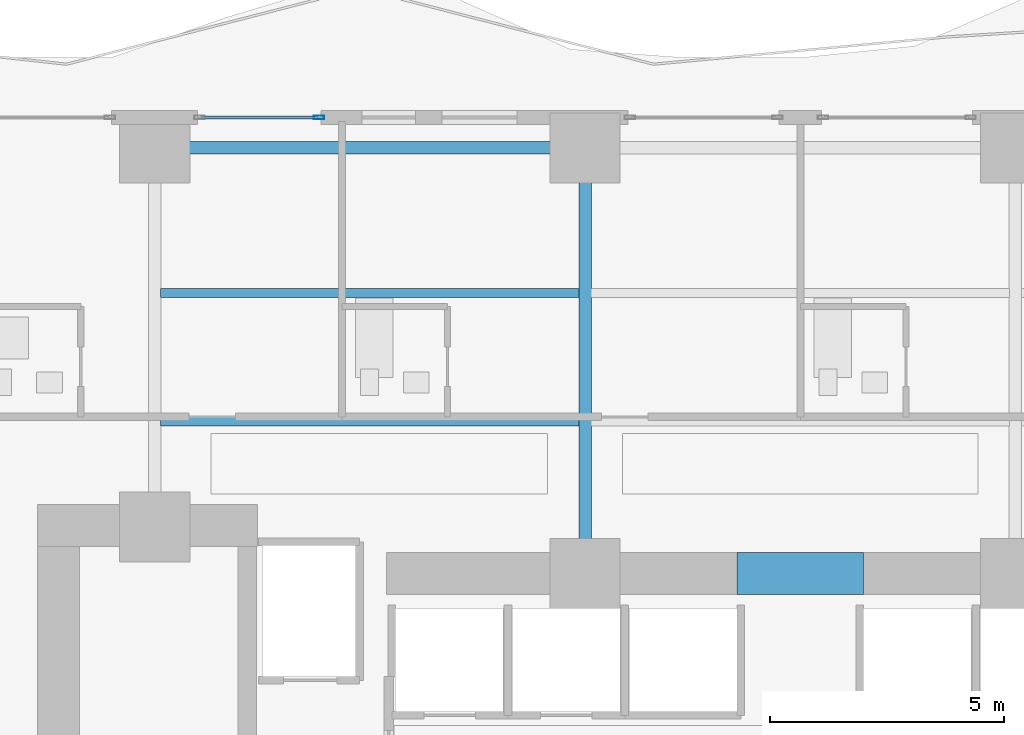
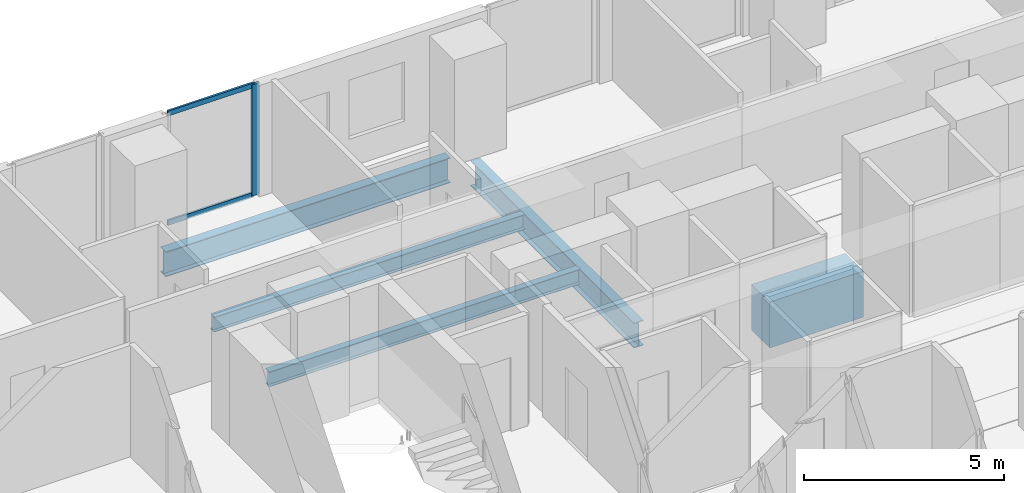
# One storey, part 14 of 30: 5 beams, 3 members, 1 element without a shape of its own.
"""IFC4 building model written with IfcOpenShell, lengths in metres."""

from ifc_helpers import new_model, si_unit, direction, frame, origin, origin_2d, place, context, subcontext, project, spatial, rectangle, hollow_rectangle, i_section, extrude, material, layer, layer_set, material_profile, profile_set, type_object, element, aggregate, save


model = new_model("IFC4")

# Units and contexts
model_context = context("Model", 3, precision=1e-05, world=origin(), true_north=direction((0.0, 1.0)))
body_context = subcontext(model_context, "Body", "Model", "MODEL_VIEW")
ifc_project = project(units=[si_unit("LENGTHUNIT", "METRE"), si_unit("AREAUNIT", "SQUARE_METRE"), si_unit("VOLUMEUNIT", "CUBIC_METRE"), si_unit("PLANEANGLEUNIT", "RADIAN"), si_unit("MASSUNIT", "GRAM", prefix="KILO")], contexts=[model_context])

# Site, building, storey
site_placement = place(None, origin())
site = spatial("IfcSite", under=ifc_project, at=site_placement, CompositionType="ELEMENT")
building_placement = place(site_placement, origin())
building = spatial("IfcBuilding", under=site, at=building_placement, Name="Zuhayl Quay Hotel", CompositionType="ELEMENT")
storey_placement = place(building_placement, frame((0.0, 0.0, 86.0)))
storey = spatial("IfcBuildingStorey", under=building, at=storey_placement, Name="L21", CompositionType="ELEMENT", Elevation=86.0)

# Beams
ifc_material_1 = material(Name="Steel ASTM A992 Grade 50", Category="steel")
ifc_material_profile_1 = material_profile(ifc_material_1, i_section(OverallWidth=0.26708984375, OverallDepth=0.761962890625, WebThickness=0.014404296875, FlangeThickness=0.021484375, at=origin_2d()), Name="W30X116")
ifc_profile_set_1 = profile_set([ifc_material_profile_1], Name="Steel ASTM A992 Grade 50")
beam_type_1 = type_object("IfcBeamType", Name="BM_B1_W30X116", PredefinedType="BEAM", material=ifc_profile_set_1)
beam_1_placement = place(storey_placement, frame((-5.10009765625, 22.449951171875, -0.60107421875), z_axis=(-1.0, 0.0, 0.0), x_axis=(0.0, -1.0, 0.0)))
element("IfcBeam", 1, at=beam_1_placement, inside=storey, type_object=beam_type_1, Name="L21 Floor Beam RG_L21_09", PredefinedType="BEAM", context=body_context, shape_type="SweptSolid", body=[
    extrude(i_section(OverallWidth=0.26708984375, OverallDepth=0.761962890625, WebThickness=0.014404296875, FlangeThickness=0.021484375, at=origin_2d()), origin(), (0.0, 0.0, 1.0), 8.199951171875),
])
beam_2_placement = place(storey_placement, frame((-4.60009765625, 13.800048828125, -0.60107421875), z_axis=(0.0, 1.0, 0.0), x_axis=(-1.0, 0.0, 0.0)))
element("IfcBeam", 2, at=beam_2_placement, inside=storey, type_object=beam_type_1, Name="L21 Floor Beam FG_N_L21_2", PredefinedType="BEAM", context=body_context, shape_type="SweptSolid", body=[
    extrude(i_section(OverallWidth=0.26708984375, OverallDepth=0.761962890625, WebThickness=0.014404296875, FlangeThickness=0.021484375, at=origin_2d()), origin(), (0.0, 0.0, 1.0), 8.14990234375),
])
ifc_material_2 = material(Name="Concrete C60/75", Category="concrete")
ifc_material_profile_2 = material_profile(ifc_material_2, rectangle(XDim=0.89990234375, YDim=1.39990234375, at=origin_2d()), Name="RC900X1400")
ifc_profile_set_2 = profile_set([ifc_material_profile_2], Name="Concrete C60/75")
beam_type_2 = type_object("IfcBeamType", Name="BM_CB1_RC900", PredefinedType="T_BEAM", material=ifc_profile_set_2)
beam_3_placement = place(storey_placement, frame((-1.35009765625, 13.35009765625, -0.919921875), z_axis=(1.0, 0.0, 0.0), x_axis=(0.0, 1.0, 0.0)))
element("IfcBeam", 3, at=beam_3_placement, inside=storey, type_object=beam_type_2, Name="L21 Core Coupling Beam North", PredefinedType="T_BEAM", context=body_context, shape_type="SweptSolid", body=[
    extrude(rectangle(XDim=0.89990234375, YDim=1.39990234375, at=origin_2d()), origin(), (0.0, 0.0, 1.0), 2.7001953125),
])
ifc_material_profile_3 = material_profile(ifc_material_1, i_section(OverallWidth=0.18994140625, OverallDepth=0.45703125, WebThickness=0.009033203125, FlangeThickness=0.014404296875, at=origin_2d()), Name="W18X50")
ifc_profile_set_3 = profile_set([ifc_material_profile_3], Name="Steel ASTM A992 Grade 50")
beam_type_3 = type_object("IfcBeamType", Name="BM_J2_W18X50", PredefinedType="JOIST", material=ifc_profile_set_3)
for number, where, z_axis, x_axis, name in (
    (4, (-13.674560546875, 16.60009765625, -0.448486328125), (1.0, 0.0, 0.0), (0.0, 1.0, 0.0), "L21 Floor Beam FJ_L21_1_1"),
    (5, (-13.674560546875, 19.35009765625, -0.448486328125), (1.0, 0.0, 0.0), (0.0, 1.0, 0.0), "L21 Floor Beam FJ_L21_2_1"),
):
    element("IfcBeam", number, at=place(storey_placement, frame(where, z_axis=z_axis, x_axis=x_axis)), inside=storey, type_object=beam_type_3, Name=name, PredefinedType="JOIST", context=body_context, shape_type="SweptSolid", body=[
        extrude(i_section(OverallWidth=0.18994140625, OverallDepth=0.45703125, WebThickness=0.009033203125, FlangeThickness=0.014404296875, at=origin_2d()), origin(), (0.0, 0.0, 1.0), 8.948974609375),
    ])

# Curtain wall, members
ifc_material_3 = material(Name="Anodised Aluminium 6063-T6", Category="aluminium")
ifc_layer = layer(ifc_material_3, 0.18994140625, Name="Anodised Aluminium 6063-T6", Category="aluminium")
ifc_layer_set = layer_set([ifc_layer], Name="Anodised Aluminium 6063-T6")
curtain_wall_type = type_object("IfcCurtainWallType", Name="CW_SYS_Z1", PredefinedType="USERDEFINED", material=ifc_layer_set)
curtain_wall_placement = place(storey_placement, origin())
curtain_wall = element("IfcCurtainWall", 6, at=curtain_wall_placement, inside=storey, type_object=curtain_wall_type, Name="L21 Curtain Wall ENV_L21_N_CW3", ObjectType="UNITISED CURTAIN WALL", PredefinedType="USERDEFINED")
ifc_material_4 = material(Name="Black-anodised aluminium 6063-T6", Category="aluminium")
ifc_material_profile_4 = material_profile(ifc_material_4, hollow_rectangle(XDim=0.074951171875, YDim=0.219970703125, WallThickness=0.00390625, at=origin_2d()), Name="ALU220X75")
ifc_profile_set_4 = profile_set([ifc_material_profile_4], Name="Black-anodised aluminium 6063-T6")
member_type_1 = type_object("IfcMemberType", Name="MB_CW_MUL_220", PredefinedType="MULLION", material=ifc_profile_set_4)
member_1_placement = place(storey_placement, frame((-10.28759765625, 23.10009765625, 0.0), z_axis=(0.0, 0.0, 1.0), x_axis=(0.0, 1.0, 0.0)))
member_1 = element("IfcMember", 7, at=member_1_placement, type_object=member_type_1, Name="CW-Z1 mullion 2", PredefinedType="MULLION", context=body_context, shape_type="SweptSolid", body=[
    extrude(hollow_rectangle(XDim=0.074951171875, YDim=0.219970703125, WallThickness=0.00390625, at=origin_2d()), origin(), (0.0, 0.0, 1.0), 3.389892578125),
])
ifc_material_profile_5 = material_profile(ifc_material_4, hollow_rectangle(XDim=0.06005859375, YDim=0.14990234375, WallThickness=0.00341796875, at=origin_2d()), Name="ALU150X60")
ifc_profile_set_5 = profile_set([ifc_material_profile_5], Name="Black-anodised aluminium 6063-T6")
member_type_2 = type_object("IfcMemberType", Name="MB_CW_TRN_150", PredefinedType="USERDEFINED", material=ifc_profile_set_5)
member_2_placement = place(storey_placement, frame((-12.804931640625, 23.10009765625, 0.030029296875), z_axis=(1.0, 0.0, 0.0), x_axis=(0.0, 1.0, 0.0)))
member_2 = element("IfcMember", 8, at=member_2_placement, type_object=member_type_2, Name="CW-Z1 transom 1.1", ObjectType="TRANSOM", PredefinedType="USERDEFINED", context=body_context, shape_type="SweptSolid", body=[
    extrude(hollow_rectangle(XDim=0.06005859375, YDim=0.14990234375, WallThickness=0.00341796875, at=origin_2d()), origin(), (0.0, 0.0, 1.0), 2.47998046875),
])
member_3_placement = place(storey_placement, frame((-12.804931640625, 23.10009765625, 3.360107421875), z_axis=(1.0, 0.0, 0.0), x_axis=(0.0, 1.0, 0.0)))
member_3 = element("IfcMember", 9, at=member_3_placement, type_object=member_type_2, Name="CW-Z1 transom 1.2", ObjectType="TRANSOM", PredefinedType="USERDEFINED", context=body_context, shape_type="SweptSolid", body=[
    extrude(hollow_rectangle(XDim=0.06005859375, YDim=0.14990234375, WallThickness=0.00341796875, at=origin_2d()), origin(), (0.0, 0.0, 1.0), 2.47998046875),
])
aggregate(curtain_wall, [member_1, member_2, member_3])

save(model, "model.ifc")
